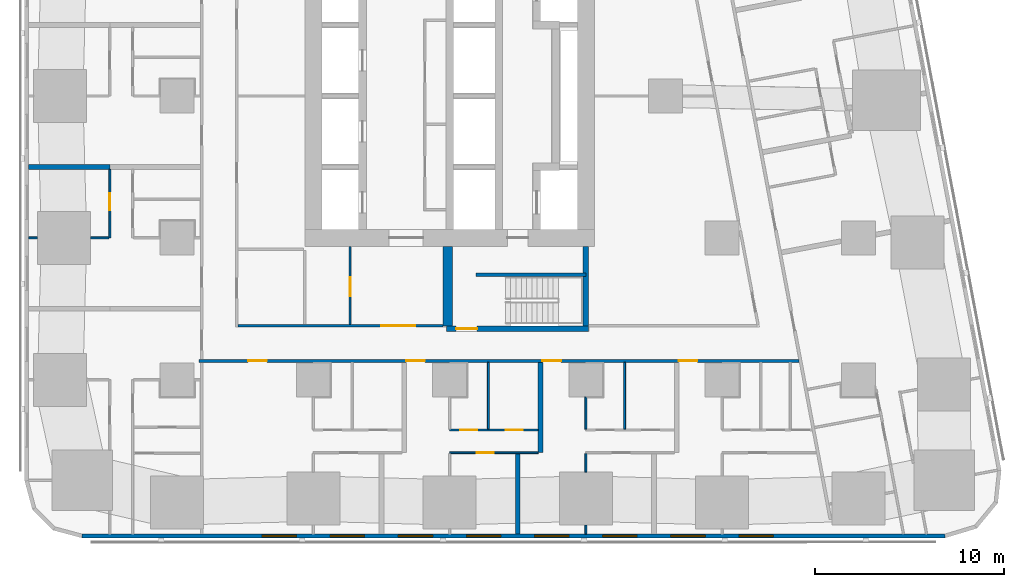
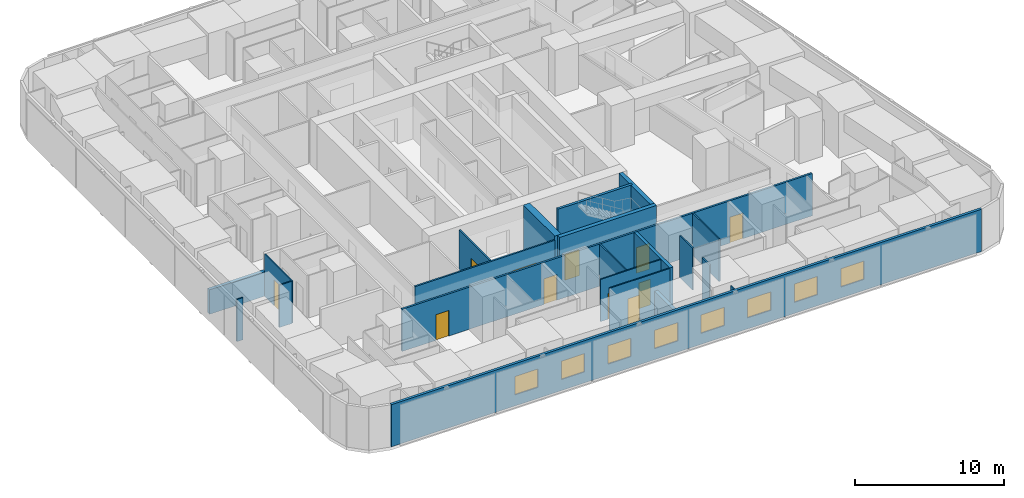
# One storey, part 3 of 15: 21 walls, 11 doors, 8 windows, 19 openings.
"""IFC4 building model written with IfcOpenShell, lengths in metres."""

from ifc_helpers import new_model, si_unit, direction, frame, frame_2d, origin, place, context, subcontext, project, spatial, rectangle, extrude, material, layer, layer_set, type_object, element, fill, save


model = new_model("IFC4")

# Units and contexts
model_context = context("Model", 3, precision=1e-05, world=origin(), true_north=direction((0.0, 1.0)))
body_context = subcontext(model_context, "Body", "Model", "MODEL_VIEW")
ifc_project = project(units=[si_unit("LENGTHUNIT", "METRE"), si_unit("AREAUNIT", "SQUARE_METRE"), si_unit("VOLUMEUNIT", "CUBIC_METRE"), si_unit("PLANEANGLEUNIT", "RADIAN"), si_unit("MASSUNIT", "GRAM", prefix="KILO")], contexts=[model_context])

# Site, building, storey
site_placement = place(None, origin())
site = spatial("IfcSite", under=ifc_project, at=site_placement, CompositionType="ELEMENT")
building_placement = place(site_placement, origin())
building = spatial("IfcBuilding", under=site, at=building_placement, Name="Sheger Commons Tower", CompositionType="ELEMENT")
storey_placement = place(building_placement, frame((0.0, 0.0, 68.75)))
storey = spatial("IfcBuildingStorey", under=building, at=storey_placement, Name="L17", CompositionType="ELEMENT", Elevation=68.75)

# Wall, openings, doors
ifc_material_1 = material(Name="Hollow concrete block masonry, skimmed both sides", Category="masonry")
ifc_layer_1 = layer(ifc_material_1, 0.14990234375)
ifc_layer_set_1 = layer_set([ifc_layer_1], Name="CORRIDOR WALL 150")
wall_type_1 = type_object("IfcWallType", Name="CORRIDOR WALL 150", PredefinedType="SOLIDWALL", material=ifc_layer_set_1)
wall_1_placement = place(storey_placement, frame((40.053955078125, 8.5, 0.0), z_axis=(0.0, 0.0, 1.0), x_axis=(-1.0, 0.0, 0.0)))
wall_1 = element("IfcWall", 1, at=wall_1_placement, inside=storey, type_object=wall_type_1, Name="Corridor wall L17", PredefinedType="SOLIDWALL", context=body_context, shape_type="SweptSolid", body=[
    extrude(rectangle(XDim=31.703857421875, YDim=0.14990234375, at=frame_2d((15.85205078125, 0.0))), origin(), (0.0, 0.0, 1.0), 3.449951171875),
])
opening_1_placement = place(wall_1_placement, frame((28.10400390625, 0.0, 0.0)))
opening_1 = element("IfcOpeningElement", 2, at=opening_1_placement, cuts=wall_1, Name="Opening D1", PredefinedType="OPENING", context=body_context, shape_type="SweptSolid", body=[
    extrude(rectangle(XDim=1.0, YDim=2.10009765625, at=frame_2d((0.5, 1.050048828125))), frame((0.0, 0.0849609375, 0.0), z_axis=(0.0, -1.0, 0.0), x_axis=(1.0, 0.0, 0.0)), (0.0, 0.0, 1.0), 0.169921875),
])
opening_2_placement = place(wall_1_placement, frame((19.7548828125, 0.0, 0.0)))
opening_2 = element("IfcOpeningElement", 3, at=opening_2_placement, cuts=wall_1, Name="Opening D1", PredefinedType="OPENING", context=body_context, shape_type="SweptSolid", body=[
    extrude(rectangle(XDim=1.0, YDim=2.10009765625, at=frame_2d((0.5, 1.050048828125))), frame((0.0, 0.0849609375, 0.0), z_axis=(0.0, -1.0, 0.0), x_axis=(1.0, 0.0, 0.0)), (0.0, 0.0, 1.0), 0.169921875),
])
opening_3_placement = place(wall_1_placement, frame((12.554931640625, 0.0, 0.0)))
opening_3 = element("IfcOpeningElement", 4, at=opening_3_placement, cuts=wall_1, Name="Opening D1", PredefinedType="OPENING", context=body_context, shape_type="SweptSolid", body=[
    extrude(rectangle(XDim=1.0, YDim=2.10009765625, at=frame_2d((0.5, 1.050048828125))), frame((0.0, 0.0849609375, 0.0), z_axis=(0.0, -1.0, 0.0), x_axis=(1.0, 0.0, 0.0)), (0.0, 0.0, 1.0), 0.169921875),
])
opening_4_placement = place(wall_1_placement, frame((5.35498046875, 0.0, 0.0)))
opening_4 = element("IfcOpeningElement", 5, at=opening_4_placement, cuts=wall_1, Name="Opening D1", PredefinedType="OPENING", context=body_context, shape_type="SweptSolid", body=[
    extrude(rectangle(XDim=1.0, YDim=2.10009765625, at=frame_2d((0.5, 1.050048828125))), frame((0.0, 0.0849609375, 0.0), z_axis=(0.0, -1.0, 0.0), x_axis=(1.0, 0.0, 0.0)), (0.0, 0.0, 1.0), 0.169921875),
])
ifc_material_2 = material(Name="Steel door set, fire rated", Category="steel")
door_type_1 = type_object("IfcDoorType", Name="FLAT ENTRANCE DOOR 1000x2100", OperationType="NOTDEFINED", PredefinedType="DOOR", material=ifc_material_2)
door_1_placement = place(opening_1_placement, origin())
door_1 = element("IfcDoor", 6, at=door_1_placement, inside=storey, type_object=door_type_1, Name="Flat entrance door", OperationType="SINGLE_SWING_RIGHT", OverallHeight=2.10009765625, OverallWidth=1.0, PredefinedType="DOOR", context=body_context, shape_type="SweptSolid", body=[
    extrude(rectangle(XDim=1.0, YDim=2.10009765625, at=frame_2d((0.5, 1.050048828125))), frame((0.0, 0.02490234375, 0.0), z_axis=(0.0, -1.0, 0.0), x_axis=(1.0, 0.0, 0.0)), (0.0, 0.0, 1.0), 0.050048828125),
])
fill(opening_1, door_1)
door_2_placement = place(opening_2_placement, origin())
door_2 = element("IfcDoor", 7, at=door_2_placement, inside=storey, type_object=door_type_1, Name="Flat entrance door", OperationType="SINGLE_SWING_RIGHT", OverallHeight=2.10009765625, OverallWidth=1.0, PredefinedType="DOOR", context=body_context, shape_type="SweptSolid", body=[
    extrude(rectangle(XDim=1.0, YDim=2.10009765625, at=frame_2d((0.5, 1.050048828125))), frame((0.0, 0.02490234375, 0.0), z_axis=(0.0, -1.0, 0.0), x_axis=(1.0, 0.0, 0.0)), (0.0, 0.0, 1.0), 0.050048828125),
])
fill(opening_2, door_2)
door_3_placement = place(opening_3_placement, origin())
door_3 = element("IfcDoor", 8, at=door_3_placement, inside=storey, type_object=door_type_1, Name="Flat entrance door", OperationType="SINGLE_SWING_RIGHT", OverallHeight=2.10009765625, OverallWidth=1.0, PredefinedType="DOOR", context=body_context, shape_type="SweptSolid", body=[
    extrude(rectangle(XDim=1.0, YDim=2.10009765625, at=frame_2d((0.5, 1.050048828125))), frame((0.0, 0.02490234375, 0.0), z_axis=(0.0, -1.0, 0.0), x_axis=(1.0, 0.0, 0.0)), (0.0, 0.0, 1.0), 0.050048828125),
])
fill(opening_3, door_3)
door_4_placement = place(opening_4_placement, origin())
door_4 = element("IfcDoor", 9, at=door_4_placement, inside=storey, type_object=door_type_1, Name="Flat entrance door", OperationType="SINGLE_SWING_RIGHT", OverallHeight=2.10009765625, OverallWidth=1.0, PredefinedType="DOOR", context=body_context, shape_type="SweptSolid", body=[
    extrude(rectangle(XDim=1.0, YDim=2.10009765625, at=frame_2d((0.5, 1.050048828125))), frame((0.0, 0.02490234375, 0.0), z_axis=(0.0, -1.0, 0.0), x_axis=(1.0, 0.0, 0.0)), (0.0, 0.0, 1.0), 0.050048828125),
])
fill(opening_4, door_4)

# Walls
ifc_material_3 = material(Name="Dense concrete block masonry, plastered both sides (separating wall between flats)", Category="masonry")
ifc_layer_2 = layer(ifc_material_3, 0.25)
ifc_layer_set_2 = layer_set([ifc_layer_2], Name="DEMISING WALL 250")
wall_type_2 = type_object("IfcWallType", Name="DEMISING WALL 250", PredefinedType="SOLIDWALL", material=ifc_layer_set_2)
wall_2_placement = place(storey_placement, frame((-0.64990234375, 18.75, 0.0), z_axis=(0.0, 0.0, 1.0), x_axis=(1.0, 0.0, 0.0)))
element("IfcWall", 10, at=wall_2_placement, inside=storey, type_object=wall_type_2, Name="Demising wall L17", PredefinedType="SOLIDWALL", context=body_context, shape_type="SweptSolid", body=[
    extrude(rectangle(XDim=4.2998046875, YDim=0.25, at=frame_2d((2.14990234375, 0.0))), origin(), (0.0, 0.0, 1.0), 2.0),
])
wall_3_placement = place(storey_placement, frame((25.199951171875, -0.64990234375, 0.0), z_axis=(0.0, 0.0, 1.0), x_axis=(0.0, 1.0, 0.0)))
element("IfcWall", 11, at=wall_3_placement, inside=storey, type_object=wall_type_2, Name="Demising wall L17", PredefinedType="SOLIDWALL", context=body_context, shape_type="SweptSolid", body=[
    extrude(rectangle(XDim=4.25, YDim=0.25, at=frame_2d((2.125, 0.0))), origin(), (0.0, 0.0, 1.0), 2.0),
])
wall_4_placement = place(storey_placement, frame((26.39892578125, 3.64990234375, 0.0), z_axis=(0.0, 0.0, 1.0), x_axis=(0.0, 1.0, 0.0)))
element("IfcWall", 12, at=wall_4_placement, inside=storey, type_object=wall_type_2, Name="Demising wall L17", PredefinedType="SOLIDWALL", context=body_context, shape_type="SweptSolid", body=[
    extrude(rectangle(XDim=4.775146484375, YDim=0.25, at=frame_2d((2.3876953125, 0.0))), origin(), (0.0, 0.0, 1.0), 3.449951171875),
])

# Wall, openings, windows
ifc_material_4 = material(Name="Rendered concrete block masonry, dark grey", Category="masonry")
ifc_layer_3 = layer(ifc_material_4, 0.199951171875)
ifc_layer_set_3 = layer_set([ifc_layer_3], Name="FACADE WALL 200")
wall_type_3 = type_object("IfcWallType", Name="FACADE WALL 200", PredefinedType="SOLIDWALL", material=ifc_layer_set_3)
wall_5_placement = place(storey_placement, frame((2.1630859375, -0.75, 0.0), z_axis=(0.0, 0.0, 1.0), x_axis=(1.0, 0.0, 0.0)))
wall_5 = element("IfcWall", 13, at=wall_5_placement, inside=storey, type_object=wall_type_3, Name="Facade wall L17", PredefinedType="SOLIDWALL", context=body_context, shape_type="SweptSolid", body=[
    extrude(rectangle(XDim=45.6279296875, YDim=0.199951171875, at=frame_2d((22.81396484375, 0.0))), origin(), (0.0, 0.0, 1.0), 3.449951171875),
])
opening_5_placement = place(wall_5_placement, frame((9.537109375, 0.0, 0.89990234375)))
opening_5 = element("IfcOpeningElement", 14, at=opening_5_placement, cuts=wall_5, Name="Opening W2", PredefinedType="OPENING", context=body_context, shape_type="SweptSolid", body=[
    extrude(rectangle(XDim=1.800048828125, YDim=1.5, at=frame_2d((0.89990234375, 0.75))), frame((0.0, 0.10986328125, 0.0), z_axis=(0.0, -1.0, 0.0), x_axis=(1.0, 0.0, 0.0)), (0.0, 0.0, 1.0), 0.219970703125),
])
opening_6_placement = place(wall_5_placement, frame((13.136962890625, 0.0, 0.89990234375)))
opening_6 = element("IfcOpeningElement", 15, at=opening_6_placement, cuts=wall_5, Name="Opening W2", PredefinedType="OPENING", context=body_context, shape_type="SweptSolid", body=[
    extrude(rectangle(XDim=1.800048828125, YDim=1.5, at=frame_2d((0.89990234375, 0.75))), frame((0.0, 0.10986328125, 0.0), z_axis=(0.0, -1.0, 0.0), x_axis=(1.0, 0.0, 0.0)), (0.0, 0.0, 1.0), 0.219970703125),
])
opening_7_placement = place(wall_5_placement, frame((16.737060546875, 0.0, 0.89990234375)))
opening_7 = element("IfcOpeningElement", 16, at=opening_7_placement, cuts=wall_5, Name="Opening W2", PredefinedType="OPENING", context=body_context, shape_type="SweptSolid", body=[
    extrude(rectangle(XDim=1.800048828125, YDim=1.5, at=frame_2d((0.89990234375, 0.75))), frame((0.0, 0.10986328125, 0.0), z_axis=(0.0, -1.0, 0.0), x_axis=(1.0, 0.0, 0.0)), (0.0, 0.0, 1.0), 0.219970703125),
])
opening_8_placement = place(wall_5_placement, frame((20.3369140625, 0.0, 0.89990234375)))
opening_8 = element("IfcOpeningElement", 17, at=opening_8_placement, cuts=wall_5, Name="Opening W2", PredefinedType="OPENING", context=body_context, shape_type="SweptSolid", body=[
    extrude(rectangle(XDim=1.800048828125, YDim=1.5, at=frame_2d((0.89990234375, 0.75))), frame((0.0, 0.10986328125, 0.0), z_axis=(0.0, -1.0, 0.0), x_axis=(1.0, 0.0, 0.0)), (0.0, 0.0, 1.0), 0.219970703125),
])
opening_9_placement = place(wall_5_placement, frame((23.93701171875, 0.0, 0.89990234375)))
opening_9 = element("IfcOpeningElement", 18, at=opening_9_placement, cuts=wall_5, Name="Opening W2", PredefinedType="OPENING", context=body_context, shape_type="SweptSolid", body=[
    extrude(rectangle(XDim=1.800048828125, YDim=1.5, at=frame_2d((0.89990234375, 0.75))), frame((0.0, 0.10986328125, 0.0), z_axis=(0.0, -1.0, 0.0), x_axis=(1.0, 0.0, 0.0)), (0.0, 0.0, 1.0), 0.219970703125),
])
opening_10_placement = place(wall_5_placement, frame((27.537109375, 0.0, 0.89990234375)))
opening_10 = element("IfcOpeningElement", 19, at=opening_10_placement, cuts=wall_5, Name="Opening W2", PredefinedType="OPENING", context=body_context, shape_type="SweptSolid", body=[
    extrude(rectangle(XDim=1.800048828125, YDim=1.5, at=frame_2d((0.89990234375, 0.75))), frame((0.0, 0.10986328125, 0.0), z_axis=(0.0, -1.0, 0.0), x_axis=(1.0, 0.0, 0.0)), (0.0, 0.0, 1.0), 0.219970703125),
])
opening_11_placement = place(wall_5_placement, frame((31.136962890625, 0.0, 0.89990234375)))
opening_11 = element("IfcOpeningElement", 20, at=opening_11_placement, cuts=wall_5, Name="Opening W2", PredefinedType="OPENING", context=body_context, shape_type="SweptSolid", body=[
    extrude(rectangle(XDim=1.800048828125, YDim=1.5, at=frame_2d((0.89990234375, 0.75))), frame((0.0, 0.10986328125, 0.0), z_axis=(0.0, -1.0, 0.0), x_axis=(1.0, 0.0, 0.0)), (0.0, 0.0, 1.0), 0.219970703125),
])
opening_12_placement = place(wall_5_placement, frame((34.737060546875, 0.0, 0.89990234375)))
opening_12 = element("IfcOpeningElement", 21, at=opening_12_placement, cuts=wall_5, Name="Opening W2", PredefinedType="OPENING", context=body_context, shape_type="SweptSolid", body=[
    extrude(rectangle(XDim=1.800048828125, YDim=1.5, at=frame_2d((0.89990234375, 0.75))), frame((0.0, 0.10986328125, 0.0), z_axis=(0.0, -1.0, 0.0), x_axis=(1.0, 0.0, 0.0)), (0.0, 0.0, 1.0), 0.219970703125),
])
ifc_material_5 = material(Name="Black aluminium frame, dark tinted double glazing", Category="aluminium")
window_type = type_object("IfcWindowType", Name="WINDOW W2 1800x1500", PartitioningType="SINGLE_PANEL", PredefinedType="WINDOW", material=ifc_material_5)
window_1_placement = place(opening_5_placement, origin())
window_1 = element("IfcWindow", 22, at=window_1_placement, inside=storey, type_object=window_type, Name="Window W2 1800X1500", OverallHeight=1.5, OverallWidth=1.800048828125, PartitioningType="SINGLE_PANEL", PredefinedType="WINDOW", context=body_context, shape_type="SweptSolid", body=[
    extrude(rectangle(XDim=1.800048828125, YDim=1.5, at=frame_2d((0.89990234375, 0.75))), frame((0.0, 0.030029296875, 0.0), z_axis=(0.0, -1.0, 0.0), x_axis=(1.0, 0.0, 0.0)), (0.0, 0.0, 1.0), 0.06005859375),
])
fill(opening_5, window_1)
window_2_placement = place(opening_6_placement, origin())
window_2 = element("IfcWindow", 23, at=window_2_placement, inside=storey, type_object=window_type, Name="Window W2 1800X1500", OverallHeight=1.5, OverallWidth=1.800048828125, PartitioningType="SINGLE_PANEL", PredefinedType="WINDOW", context=body_context, shape_type="SweptSolid", body=[
    extrude(rectangle(XDim=1.800048828125, YDim=1.5, at=frame_2d((0.89990234375, 0.75))), frame((0.0, 0.030029296875, 0.0), z_axis=(0.0, -1.0, 0.0), x_axis=(1.0, 0.0, 0.0)), (0.0, 0.0, 1.0), 0.06005859375),
])
fill(opening_6, window_2)
window_3_placement = place(opening_7_placement, origin())
window_3 = element("IfcWindow", 24, at=window_3_placement, inside=storey, type_object=window_type, Name="Window W2 1800X1500", OverallHeight=1.5, OverallWidth=1.800048828125, PartitioningType="SINGLE_PANEL", PredefinedType="WINDOW", context=body_context, shape_type="SweptSolid", body=[
    extrude(rectangle(XDim=1.800048828125, YDim=1.5, at=frame_2d((0.89990234375, 0.75))), frame((0.0, 0.030029296875, 0.0), z_axis=(0.0, -1.0, 0.0), x_axis=(1.0, 0.0, 0.0)), (0.0, 0.0, 1.0), 0.06005859375),
])
fill(opening_7, window_3)
window_4_placement = place(opening_8_placement, origin())
window_4 = element("IfcWindow", 25, at=window_4_placement, inside=storey, type_object=window_type, Name="Window W2 1800X1500", OverallHeight=1.5, OverallWidth=1.800048828125, PartitioningType="SINGLE_PANEL", PredefinedType="WINDOW", context=body_context, shape_type="SweptSolid", body=[
    extrude(rectangle(XDim=1.800048828125, YDim=1.5, at=frame_2d((0.89990234375, 0.75))), frame((0.0, 0.030029296875, 0.0), z_axis=(0.0, -1.0, 0.0), x_axis=(1.0, 0.0, 0.0)), (0.0, 0.0, 1.0), 0.06005859375),
])
fill(opening_8, window_4)
window_5_placement = place(opening_9_placement, origin())
window_5 = element("IfcWindow", 26, at=window_5_placement, inside=storey, type_object=window_type, Name="Window W2 1800X1500", OverallHeight=1.5, OverallWidth=1.800048828125, PartitioningType="SINGLE_PANEL", PredefinedType="WINDOW", context=body_context, shape_type="SweptSolid", body=[
    extrude(rectangle(XDim=1.800048828125, YDim=1.5, at=frame_2d((0.89990234375, 0.75))), frame((0.0, 0.030029296875, 0.0), z_axis=(0.0, -1.0, 0.0), x_axis=(1.0, 0.0, 0.0)), (0.0, 0.0, 1.0), 0.06005859375),
])
fill(opening_9, window_5)
window_6_placement = place(opening_10_placement, origin())
window_6 = element("IfcWindow", 27, at=window_6_placement, inside=storey, type_object=window_type, Name="Window W2 1800X1500", OverallHeight=1.5, OverallWidth=1.800048828125, PartitioningType="SINGLE_PANEL", PredefinedType="WINDOW", context=body_context, shape_type="SweptSolid", body=[
    extrude(rectangle(XDim=1.800048828125, YDim=1.5, at=frame_2d((0.89990234375, 0.75))), frame((0.0, 0.030029296875, 0.0), z_axis=(0.0, -1.0, 0.0), x_axis=(1.0, 0.0, 0.0)), (0.0, 0.0, 1.0), 0.06005859375),
])
fill(opening_10, window_6)
window_7_placement = place(opening_11_placement, origin())
window_7 = element("IfcWindow", 28, at=window_7_placement, inside=storey, type_object=window_type, Name="Window W2 1800X1500", OverallHeight=1.5, OverallWidth=1.800048828125, PartitioningType="SINGLE_PANEL", PredefinedType="WINDOW", context=body_context, shape_type="SweptSolid", body=[
    extrude(rectangle(XDim=1.800048828125, YDim=1.5, at=frame_2d((0.89990234375, 0.75))), frame((0.0, 0.030029296875, 0.0), z_axis=(0.0, -1.0, 0.0), x_axis=(1.0, 0.0, 0.0)), (0.0, 0.0, 1.0), 0.06005859375),
])
fill(opening_11, window_7)
window_8_placement = place(opening_12_placement, origin())
window_8 = element("IfcWindow", 29, at=window_8_placement, inside=storey, type_object=window_type, Name="Window W2 1800X1500", OverallHeight=1.5, OverallWidth=1.800048828125, PartitioningType="SINGLE_PANEL", PredefinedType="WINDOW", context=body_context, shape_type="SweptSolid", body=[
    extrude(rectangle(XDim=1.800048828125, YDim=1.5, at=frame_2d((0.89990234375, 0.75))), frame((0.0, 0.030029296875, 0.0), z_axis=(0.0, -1.0, 0.0), x_axis=(1.0, 0.0, 0.0)), (0.0, 0.0, 1.0), 0.06005859375),
])
fill(opening_12, window_8)

# Wall, opening, door
ifc_material_6 = material(Name="Gypsum board on steel studs", Category="steel")
ifc_layer_4 = layer(ifc_material_6, 0.10009765625)
ifc_layer_set_4 = layer_set([ifc_layer_4], Name="PARTITION 100")
wall_type_4 = type_object("IfcWallType", Name="PARTITION 100", PredefinedType="PARTITIONING", material=ifc_layer_set_4)
wall_6_placement = place(storey_placement, frame((3.64990234375, 15.0, 0.0), z_axis=(0.0, 0.0, 1.0), x_axis=(0.0, 1.0, 0.0)))
wall_6 = element("IfcWall", 30, at=wall_6_placement, inside=storey, type_object=wall_type_4, Name="Partition L17", PredefinedType="PARTITIONING", context=body_context, shape_type="SweptSolid", body=[
    extrude(rectangle(XDim=3.625, YDim=0.10009765625, at=frame_2d((1.8125, 0.0))), origin(), (0.0, 0.0, 1.0), 3.449951171875),
])
opening_13_placement = place(wall_6_placement, frame((1.449951171875, 0.0, 0.0)))
opening_13 = element("IfcOpeningElement", 31, at=opening_13_placement, cuts=wall_6, Name="Opening D2", PredefinedType="OPENING", context=body_context, shape_type="SweptSolid", body=[
    extrude(rectangle(XDim=0.89990234375, YDim=2.10009765625, at=frame_2d((0.449951171875, 1.050048828125))), frame((0.0, 0.06005859375, 0.0), z_axis=(0.0, -1.0, 0.0), x_axis=(1.0, 0.0, 0.0)), (0.0, 0.0, 1.0), 0.1201171875),
])
ifc_material_7 = material(Name="Timber door set", Category="wood")
door_type_2 = type_object("IfcDoorType", Name="INTERNAL DOOR 900x2100", OperationType="NOTDEFINED", PredefinedType="DOOR", material=ifc_material_7)
door_5_placement = place(opening_13_placement, origin())
door_5 = element("IfcDoor", 32, at=door_5_placement, inside=storey, type_object=door_type_2, Name="Main bedroom door", OperationType="SINGLE_SWING_RIGHT", OverallHeight=2.10009765625, OverallWidth=0.89990234375, PredefinedType="DOOR", context=body_context, shape_type="SweptSolid", body=[
    extrude(rectangle(XDim=0.89990234375, YDim=2.10009765625, at=frame_2d((0.449951171875, 1.050048828125))), frame((0.0, 0.02490234375, 0.0), z_axis=(0.0, -1.0, 0.0), x_axis=(1.0, 0.0, 0.0)), (0.0, 0.0, 1.0), 0.050048828125),
])
fill(opening_13, door_5)

# Walls
wall_7_placement = place(storey_placement, frame((-0.64990234375, 15.0, 0.0), z_axis=(0.0, 0.0, 1.0), x_axis=(1.0, 0.0, 0.0)))
element("IfcWall", 33, at=wall_7_placement, inside=storey, type_object=wall_type_4, Name="Partition L17", PredefinedType="PARTITIONING", context=body_context, shape_type="SweptSolid", body=[
    extrude(rectangle(XDim=0.473876953125, YDim=0.10009765625, at=frame_2d((0.23681640625, 0.0))), origin(), (0.0, 0.0, 1.0), 3.449951171875),
])
wall_8_placement = place(storey_placement, frame((2.6259765625, 15.0, 0.0), z_axis=(0.0, 0.0, 1.0), x_axis=(1.0, 0.0, 0.0)))
element("IfcWall", 34, at=wall_8_placement, inside=storey, type_object=wall_type_4, Name="Partition L17", PredefinedType="PARTITIONING", context=body_context, shape_type="SweptSolid", body=[
    extrude(rectangle(XDim=0.97412109375, YDim=0.10009765625, at=frame_2d((0.487060546875, 0.0))), origin(), (0.0, 0.0, 1.0), 3.449951171875),
])

# Wall, opening, door
wall_9_placement = place(storey_placement, frame((26.27392578125, 3.64990234375, 0.0), z_axis=(0.0, 0.0, 1.0), x_axis=(-1.0, 0.0, 0.0)))
wall_9 = element("IfcWall", 35, at=wall_9_placement, inside=storey, type_object=wall_type_4, Name="Partition L17", PredefinedType="PARTITIONING", context=body_context, shape_type="SweptSolid", body=[
    extrude(rectangle(XDim=4.673828125, YDim=0.10009765625, at=frame_2d((2.3369140625, 0.0))), origin(), (0.0, 0.0, 1.0), 3.449951171875),
])
opening_14_placement = place(wall_9_placement, frame((2.35009765625, 0.0, 0.0)))
opening_14 = element("IfcOpeningElement", 36, at=opening_14_placement, cuts=wall_9, Name="Opening D2", PredefinedType="OPENING", context=body_context, shape_type="SweptSolid", body=[
    extrude(rectangle(XDim=0.89990234375, YDim=2.10009765625, at=frame_2d((0.449951171875, 1.050048828125))), frame((0.0, 0.06005859375, 0.0), z_axis=(0.0, -1.0, 0.0), x_axis=(1.0, 0.0, 0.0)), (0.0, 0.0, 1.0), 0.1201171875),
])
door_6_placement = place(opening_14_placement, origin())
door_6 = element("IfcDoor", 37, at=door_6_placement, inside=storey, type_object=door_type_2, Name="Main bedroom door", OperationType="SINGLE_SWING_RIGHT", OverallHeight=2.10009765625, OverallWidth=0.89990234375, PredefinedType="DOOR", context=body_context, shape_type="SweptSolid", body=[
    extrude(rectangle(XDim=0.89990234375, YDim=2.10009765625, at=frame_2d((0.449951171875, 1.050048828125))), frame((0.0, 0.02490234375, 0.0), z_axis=(0.0, -1.0, 0.0), x_axis=(1.0, 0.0, 0.0)), (0.0, 0.0, 1.0), 0.050048828125),
])
fill(opening_14, door_6)

# Wall, openings, doors
wall_10_placement = place(storey_placement, frame((26.27392578125, 4.85009765625, 0.0), z_axis=(0.0, 0.0, 1.0), x_axis=(-1.0, 0.0, 0.0)))
wall_10 = element("IfcWall", 38, at=wall_10_placement, inside=storey, type_object=wall_type_4, Name="Partition L17", PredefinedType="PARTITIONING", context=body_context, shape_type="SweptSolid", body=[
    extrude(rectangle(XDim=4.673828125, YDim=0.10009765625, at=frame_2d((2.3369140625, 0.0))), origin(), (0.0, 0.0, 1.0), 3.449951171875),
])
opening_15_placement = place(wall_10_placement, frame((3.198974609375, 0.0, 0.0)))
opening_15 = element("IfcOpeningElement", 39, at=opening_15_placement, cuts=wall_10, Name="Opening D2", PredefinedType="OPENING", context=body_context, shape_type="SweptSolid", body=[
    extrude(rectangle(XDim=0.89990234375, YDim=2.10009765625, at=frame_2d((0.449951171875, 1.050048828125))), frame((0.0, 0.06005859375, 0.0), z_axis=(0.0, -1.0, 0.0), x_axis=(1.0, 0.0, 0.0)), (0.0, 0.0, 1.0), 0.1201171875),
])
opening_16_placement = place(wall_10_placement, frame((0.800048828125, 0.0, 0.0)))
opening_16 = element("IfcOpeningElement", 40, at=opening_16_placement, cuts=wall_10, Name="Opening D2", PredefinedType="OPENING", context=body_context, shape_type="SweptSolid", body=[
    extrude(rectangle(XDim=0.89990234375, YDim=2.10009765625, at=frame_2d((0.449951171875, 1.050048828125))), frame((0.0, 0.06005859375, 0.0), z_axis=(0.0, -1.0, 0.0), x_axis=(1.0, 0.0, 0.0)), (0.0, 0.0, 1.0), 0.1201171875),
])
door_7_placement = place(opening_15_placement, origin())
door_7 = element("IfcDoor", 41, at=door_7_placement, inside=storey, type_object=door_type_2, Name="Bathroom door", OperationType="SINGLE_SWING_LEFT", OverallHeight=2.10009765625, OverallWidth=0.89990234375, PredefinedType="DOOR", context=body_context, shape_type="SweptSolid", body=[
    extrude(rectangle(XDim=0.89990234375, YDim=2.10009765625, at=frame_2d((0.449951171875, 1.050048828125))), frame((0.0, 0.02490234375, 0.0), z_axis=(0.0, -1.0, 0.0), x_axis=(1.0, 0.0, 0.0)), (0.0, 0.0, 1.0), 0.050048828125),
])
fill(opening_15, door_7)
door_8_placement = place(opening_16_placement, origin())
door_8 = element("IfcDoor", 42, at=door_8_placement, inside=storey, type_object=door_type_2, Name="Store door", OperationType="SINGLE_SWING_RIGHT", OverallHeight=2.10009765625, OverallWidth=0.89990234375, PredefinedType="DOOR", context=body_context, shape_type="SweptSolid", body=[
    extrude(rectangle(XDim=0.89990234375, YDim=2.10009765625, at=frame_2d((0.449951171875, 1.050048828125))), frame((0.0, 0.02490234375, 0.0), z_axis=(0.0, -1.0, 0.0), x_axis=(1.0, 0.0, 0.0)), (0.0, 0.0, 1.0), 0.050048828125),
])
fill(opening_16, door_8)

# Walls
wall_11_placement = place(storey_placement, frame((23.64990234375, 4.89990234375, 0.0), z_axis=(0.0, 0.0, 1.0), x_axis=(0.0, 1.0, 0.0)))
element("IfcWall", 43, at=wall_11_placement, inside=storey, type_object=wall_type_4, Name="Partition L17", PredefinedType="PARTITIONING", context=body_context, shape_type="SweptSolid", body=[
    extrude(rectangle(XDim=3.525146484375, YDim=0.10009765625, at=frame_2d((1.7626953125, 0.0))), origin(), (0.0, 0.0, 1.0), 3.449951171875),
])
wall_12_placement = place(storey_placement, frame((28.800048828125, -0.64990234375, 0.0), z_axis=(0.0, 0.0, 1.0), x_axis=(0.0, 1.0, 0.0)))
element("IfcWall", 44, at=wall_12_placement, inside=storey, type_object=wall_type_4, Name="Partition L17", PredefinedType="PARTITIONING", context=body_context, shape_type="SweptSolid", body=[
    extrude(rectangle(XDim=0.473876953125, YDim=0.10009765625, at=frame_2d((0.23681640625, 0.0))), origin(), (0.0, 0.0, 1.0), 3.449951171875),
])
wall_13_placement = place(storey_placement, frame((28.800048828125, 2.6259765625, 0.0), z_axis=(0.0, 0.0, 1.0), x_axis=(0.0, 1.0, 0.0)))
element("IfcWall", 45, at=wall_13_placement, inside=storey, type_object=wall_type_4, Name="Partition L17", PredefinedType="PARTITIONING", context=body_context, shape_type="SweptSolid", body=[
    extrude(rectangle(XDim=0.97412109375, YDim=0.10009765625, at=frame_2d((0.487060546875, 0.0))), origin(), (0.0, 0.0, 1.0), 3.449951171875),
])
wall_14_placement = place(storey_placement, frame((28.800048828125, 4.89990234375, 0.0), z_axis=(0.0, 0.0, 1.0), x_axis=(0.0, 1.0, 0.0)))
element("IfcWall", 46, at=wall_14_placement, inside=storey, type_object=wall_type_4, Name="Partition L17", PredefinedType="PARTITIONING", context=body_context, shape_type="SweptSolid", body=[
    extrude(rectangle(XDim=1.69921875, YDim=0.10009765625, at=frame_2d((0.849609375, 0.0))), origin(), (0.0, 0.0, 1.0), 3.449951171875),
])
wall_15_placement = place(storey_placement, frame((30.85009765625, 4.89990234375, 0.0), z_axis=(0.0, 0.0, 1.0), x_axis=(0.0, 1.0, 0.0)))
element("IfcWall", 47, at=wall_15_placement, inside=storey, type_object=wall_type_4, Name="Partition L17", PredefinedType="PARTITIONING", context=body_context, shape_type="SweptSolid", body=[
    extrude(rectangle(XDim=3.525146484375, YDim=0.10009765625, at=frame_2d((1.7626953125, 0.0))), origin(), (0.0, 0.0, 1.0), 3.449951171875),
])

# Wall, opening, door
ifc_material_8 = material(Name="Gypsum board on steel studs, two layers each side, fire rated", Category="steel")
ifc_layer_5 = layer(ifc_material_8, 0.125)
ifc_layer_set_5 = layer_set([ifc_layer_5], Name="SERVICE WALL 125")
wall_type_5 = type_object("IfcWallType", Name="SERVICE WALL 125", PredefinedType="PARTITIONING", material=ifc_layer_set_5)
wall_16_placement = place(storey_placement, frame((10.4130859375, 10.35009765625, 0.0), z_axis=(0.0, 0.0, 1.0), x_axis=(1.0, 0.0, 0.0)))
wall_16 = element("IfcWall", 48, at=wall_16_placement, inside=storey, type_object=wall_type_5, Name="Service room wall L17", PredefinedType="PARTITIONING", context=body_context, shape_type="SweptSolid", body=[
    extrude(rectangle(XDim=10.8369140625, YDim=0.125, at=frame_2d((5.41845703125, 0.0))), origin(), (0.0, 0.0, 1.0), 3.449951171875),
])
opening_17_placement = place(wall_16_placement, frame((7.58203125, 0.0, 0.0)))
opening_17 = element("IfcOpeningElement", 49, at=opening_17_placement, cuts=wall_16, Name="Opening D6", PredefinedType="OPENING", context=body_context, shape_type="SweptSolid", body=[
    extrude(rectangle(XDim=1.800048828125, YDim=2.10009765625, at=frame_2d((0.89990234375, 1.050048828125))), frame((0.0, 0.072509765625, 0.0), z_axis=(0.0, -1.0, 0.0), x_axis=(1.0, 0.0, 0.0)), (0.0, 0.0, 1.0), 0.14501953125),
])
ifc_material_9 = material(Name="Steel door set, fire rated", Category="steel")
door_type_3 = type_object("IfcDoorType", Name="LOBBY DOUBLE DOOR 1800x2100", OperationType="DOUBLE_DOOR_SINGLE_SWING", PredefinedType="DOOR", material=ifc_material_9)
door_9_placement = place(opening_17_placement, origin())
door_9 = element("IfcDoor", 50, at=door_9_placement, inside=storey, type_object=door_type_3, Name="Lift lobby south door", OperationType="DOUBLE_DOOR_SINGLE_SWING", OverallHeight=2.10009765625, OverallWidth=1.800048828125, PredefinedType="DOOR", context=body_context, shape_type="SweptSolid", body=[
    extrude(rectangle(XDim=1.800048828125, YDim=2.10009765625, at=frame_2d((0.89990234375, 1.050048828125))), frame((0.0, 0.02490234375, 0.0), z_axis=(0.0, -1.0, 0.0), x_axis=(1.0, 0.0, 0.0)), (0.0, 0.0, 1.0), 0.050048828125),
])
fill(opening_17, door_9)

wall_17_placement = place(storey_placement, frame((16.340087890625, 10.4130859375, 0.0), z_axis=(0.0, 0.0, 1.0), x_axis=(0.0, 1.0, 0.0)))
wall_17 = element("IfcWall", 51, at=wall_17_placement, inside=storey, type_object=wall_type_5, Name="Service room wall L17", PredefinedType="PARTITIONING", context=body_context, shape_type="SweptSolid", body=[
    extrude(rectangle(XDim=4.136962890625, YDim=0.125, at=frame_2d((2.068359375, 0.0))), origin(), (0.0, 0.0, 1.0), 3.449951171875),
])
opening_18_placement = place(wall_17_placement, frame((1.511962890625, 0.0, 0.0)))
opening_18 = element("IfcOpeningElement", 52, at=opening_18_placement, cuts=wall_17, Name="Opening D4", PredefinedType="OPENING", context=body_context, shape_type="SweptSolid", body=[
    extrude(rectangle(XDim=1.0, YDim=2.10009765625, at=frame_2d((0.5, 1.050048828125))), frame((0.0, 0.072509765625, 0.0), z_axis=(0.0, -1.0, 0.0), x_axis=(1.0, 0.0, 0.0)), (0.0, 0.0, 1.0), 0.14501953125),
])
ifc_material_10 = material(Name="Steel door set, fire rated", Category="steel")
door_type_4 = type_object("IfcDoorType", Name="SERVICE DOOR 1000x2100", OperationType="NOTDEFINED", PredefinedType="DOOR", material=ifc_material_10)
door_10_placement = place(opening_18_placement, origin())
door_10 = element("IfcDoor", 53, at=door_10_placement, inside=storey, type_object=door_type_4, Name="Electrical room door", OperationType="SINGLE_SWING_LEFT", OverallHeight=2.10009765625, OverallWidth=1.0, PredefinedType="DOOR", context=body_context, shape_type="SweptSolid", body=[
    extrude(rectangle(XDim=1.0, YDim=2.10009765625, at=frame_2d((0.5, 1.050048828125))), frame((0.0, 0.02490234375, 0.0), z_axis=(0.0, -1.0, 0.0), x_axis=(1.0, 0.0, 0.0)), (0.0, 0.0, 1.0), 0.050048828125),
])
fill(opening_18, door_10)

ifc_material_11 = material(Name="Concrete C50/60", Category="concrete")
ifc_layer_6 = layer(ifc_material_11, 0.300048828125)
ifc_layer_set_6 = layer_set([ifc_layer_6], Name="STAIR CORE WALL 300")
wall_type_6 = type_object("IfcWallType", Name="STAIR CORE WALL 300", PredefinedType="SHEAR", material=ifc_layer_set_6)
wall_18_placement = place(storey_placement, frame((21.449951171875, 10.199951171875, 0.0), z_axis=(0.0, 0.0, 1.0), x_axis=(1.0, 0.0, 0.0)))
wall_18 = element("IfcWall", 54, at=wall_18_placement, inside=storey, type_object=wall_type_6, Name="STW-L17-S1S", PredefinedType="SHEAR", context=body_context, shape_type="SweptSolid", body=[
    extrude(rectangle(XDim=7.5, YDim=0.300048828125, at=frame_2d((3.75, 0.0))), origin(), (0.0, 0.0, 1.0), 3.75),
])
opening_19_placement = place(wall_18_placement, frame((0.5, 0.0, 0.0)))
opening_19 = element("IfcOpeningElement", 55, at=opening_19_placement, cuts=wall_18, Name="Opening D5", PredefinedType="OPENING", context=body_context, shape_type="SweptSolid", body=[
    extrude(rectangle(XDim=1.10009765625, YDim=2.10009765625, at=frame_2d((0.550048828125, 1.050048828125))), frame((0.0, 0.159912109375, 0.0), z_axis=(0.0, -1.0, 0.0), x_axis=(1.0, 0.0, 0.0)), (0.0, 0.0, 1.0), 0.320068359375),
])
ifc_material_12 = material(Name="Steel door set, fire rated", Category="steel")
door_type_5 = type_object("IfcDoorType", Name="STAIR DOOR 1100x2100", OperationType="NOTDEFINED", PredefinedType="DOOR", material=ifc_material_12)
door_11_placement = place(opening_19_placement, origin())
door_11 = element("IfcDoor", 56, at=door_11_placement, inside=storey, type_object=door_type_5, Name="Stair S1 door", OperationType="SINGLE_SWING_LEFT", OverallHeight=2.10009765625, OverallWidth=1.10009765625, PredefinedType="DOOR", context=body_context, shape_type="SweptSolid", body=[
    extrude(rectangle(XDim=1.10009765625, YDim=2.10009765625, at=frame_2d((0.550048828125, 1.050048828125))), frame((0.0, 0.02490234375, 0.0), z_axis=(0.0, -1.0, 0.0), x_axis=(1.0, 0.0, 0.0)), (0.0, 0.0, 1.0), 0.050048828125),
])
fill(opening_19, door_11)

# Walls
wall_19_placement = place(storey_placement, frame((28.800048828125, 10.35009765625, 0.0), z_axis=(0.0, 0.0, 1.0), x_axis=(0.0, 1.0, 0.0)))
element("IfcWall", 57, at=wall_19_placement, inside=storey, type_object=wall_type_6, Name="STW-L17-S1E", PredefinedType="SHEAR", context=body_context, shape_type="SweptSolid", body=[
    extrude(rectangle(XDim=4.199951171875, YDim=0.300048828125, at=frame_2d((2.10009765625, 0.0))), origin(), (0.0, 0.0, 1.0), 3.75),
])
ifc_material_13 = material(Name="Concrete C50/60", Category="concrete")
ifc_layer_7 = layer(ifc_material_13, 0.5)
ifc_layer_set_7 = layer_set([ifc_layer_7], Name="STAIR CORE WALL 500")
wall_type_7 = type_object("IfcWallType", Name="STAIR CORE WALL 500", PredefinedType="SHEAR", material=ifc_layer_set_7)
wall_20_placement = place(storey_placement, frame((21.5, 10.35009765625, 0.0), z_axis=(0.0, 0.0, 1.0), x_axis=(0.0, 1.0, 0.0)))
element("IfcWall", 58, at=wall_20_placement, inside=storey, type_object=wall_type_7, Name="STW-L17-S1W", PredefinedType="SHEAR", context=body_context, shape_type="SweptSolid", body=[
    extrude(rectangle(XDim=4.199951171875, YDim=0.5, at=frame_2d((2.10009765625, 0.0))), origin(), (0.0, 0.0, 1.0), 3.75),
])
ifc_material_14 = material(Name="Concrete C50/60", Category="concrete")
ifc_layer_8 = layer(ifc_material_14, 0.199951171875)
ifc_layer_set_8 = layer_set([ifc_layer_8], Name="STAIR SPINE WALL 200")
wall_type_8 = type_object("IfcWallType", Name="STAIR SPINE WALL 200", PredefinedType="SHEAR", material=ifc_layer_set_8)
wall_21_placement = place(storey_placement, frame((23.0, 13.050048828125, 0.0), z_axis=(0.0, 0.0, 1.0), x_axis=(1.0, 0.0, 0.0)))
element("IfcWall", 59, at=wall_21_placement, inside=storey, type_object=wall_type_8, Name="Stair spine wall L17", PredefinedType="SHEAR", context=body_context, shape_type="SweptSolid", body=[
    extrude(rectangle(XDim=5.800048828125, YDim=0.199951171875, at=frame_2d((2.89990234375, 0.0))), origin(), (0.0, 0.0, 1.0), 3.75),
])

save(model, "model.ifc")
